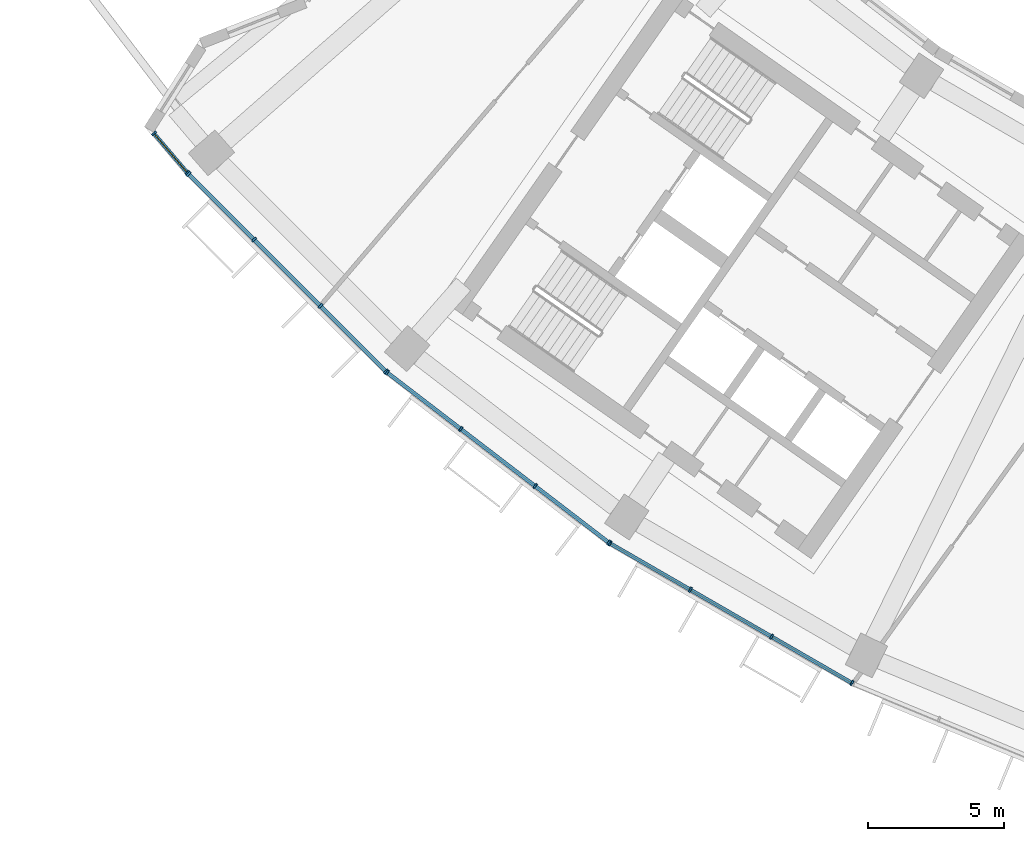
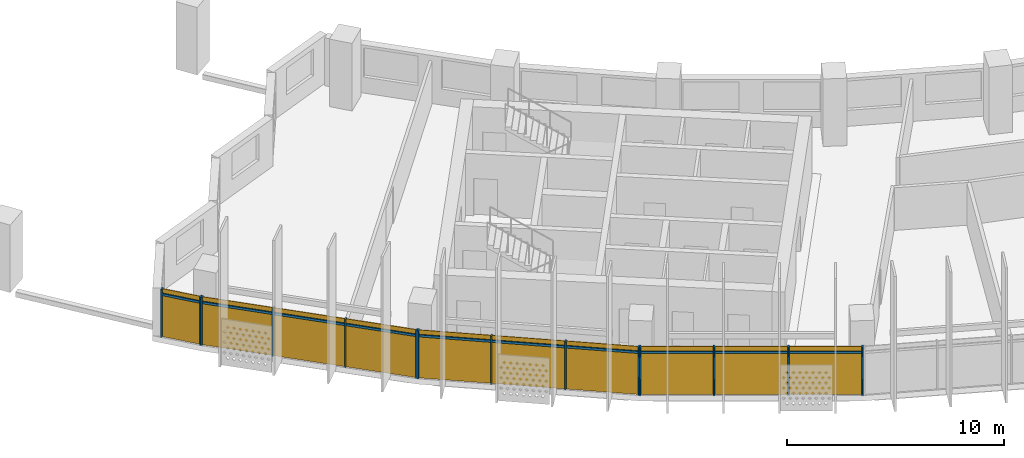
# One storey, part 17 of 27: 24 members, 4 curtain walls.
"""IFC4 building model written with IfcOpenShell, lengths in metres."""

from ifc_helpers import new_model, si_unit, direction, frame, origin, origin_2d, place, context, subcontext, project, spatial, rectangle, extrude, material, material_profile, profile_set, type_object, element, aggregate, save


model = new_model("IFC4")

# Units and contexts
model_context = context("Model", 3, precision=1e-05, world=origin(), true_north=direction((0.0, 1.0)))
body_context = subcontext(model_context, "Body", "Model", "MODEL_VIEW")
ifc_project = project(units=[si_unit("LENGTHUNIT", "METRE"), si_unit("AREAUNIT", "SQUARE_METRE"), si_unit("VOLUMEUNIT", "CUBIC_METRE"), si_unit("PLANEANGLEUNIT", "RADIAN"), si_unit("MASSUNIT", "GRAM", prefix="KILO")], contexts=[model_context])

# Member
ifc_material = material(Name="Aluminium 6063-T6 anodised", Category="aluminium")
ifc_material_profile_1 = material_profile(ifc_material, rectangle(XDim=0.199951171875, YDim=0.070068359375, at=origin_2d()))
ifc_profile_set_1 = profile_set([ifc_material_profile_1], Name="Aluminium 6063-T6 anodised")
member_type_1 = type_object("IfcMemberType", Name="Mullion 70 x 200 aluminium", PredefinedType="MULLION", material=ifc_profile_set_1)
site_placement = place(None, origin())
building_placement = place(site_placement, origin())
storey_placement = place(building_placement, frame((0.0, 0.0, 164.5)))
member_1_placement = place(storey_placement, frame((-60.571044921875, -50.552490234375, 0.0), z_axis=(0.0, 0.0, 1.0), x_axis=(0.761569702594, 0.648083010185, 0.0)))
member_1 = element("IfcMember", 1, at=member_1_placement, type_object=member_type_1, Name="e-cw1-L38-out00/M00", PredefinedType="MULLION", context=body_context, shape_type="SweptSolid", body=[
    extrude(rectangle(XDim=0.199951171875, YDim=0.070068359375, at=origin_2d()), origin(), (0.0, 0.0, 1.0), 2.699951171875),
])

member_2_placement = place(storey_placement, frame((-59.341796875, -51.996826171875, 0.0), z_axis=(0.0, 0.0, 1.0), x_axis=(0.761569702594, 0.648083010185, 0.0)))
member_2 = element("IfcMember", 2, at=member_2_placement, type_object=member_type_1, Name="e-cw1-L38-out00/M01", PredefinedType="MULLION", context=body_context, shape_type="SweptSolid", body=[
    extrude(rectangle(XDim=0.199951171875, YDim=0.070068359375, at=origin_2d()), origin(), (0.0, 0.0, 1.0), 2.699951171875),
])

member_3_placement = place(storey_placement, frame((-59.2998046875, -52.042236328125, 0.0), z_axis=(0.0, 0.0, 1.0), x_axis=(0.707106781187, 0.707106781187, 0.0)))
member_3 = element("IfcMember", 3, at=member_3_placement, type_object=member_type_1, Name="e-cw1-L38-out01/M00", PredefinedType="MULLION", context=body_context, shape_type="SweptSolid", body=[
    extrude(rectangle(XDim=0.199951171875, YDim=0.070068359375, at=origin_2d()), origin(), (0.0, 0.0, 1.0), 2.699951171875),
])

member_4_placement = place(storey_placement, frame((-56.888916015625, -54.453369140625, 0.0), z_axis=(0.0, 0.0, 1.0), x_axis=(0.707106781187, 0.707106781187, 0.0)))
member_4 = element("IfcMember", 4, at=member_4_placement, type_object=member_type_1, Name="e-cw1-L38-out01/M01", PredefinedType="MULLION", context=body_context, shape_type="SweptSolid", body=[
    extrude(rectangle(XDim=0.199951171875, YDim=0.070068359375, at=origin_2d()), origin(), (0.0, 0.0, 1.0), 2.699951171875),
])

member_5_placement = place(storey_placement, frame((-54.453369140625, -56.888916015625, 0.0), z_axis=(0.0, 0.0, 1.0), x_axis=(0.707106781187, 0.707106781187, 0.0)))
member_5 = element("IfcMember", 5, at=member_5_placement, type_object=member_type_1, Name="e-cw1-L38-out01/M02", PredefinedType="MULLION", context=body_context, shape_type="SweptSolid", body=[
    extrude(rectangle(XDim=0.199951171875, YDim=0.070068359375, at=origin_2d()), origin(), (0.0, 0.0, 1.0), 2.699951171875),
])

member_6_placement = place(storey_placement, frame((-52.042236328125, -59.2998046875, 0.0), z_axis=(0.0, 0.0, 1.0), x_axis=(0.707106781187, 0.707106781187, 0.0)))
member_6 = element("IfcMember", 6, at=member_6_placement, type_object=member_type_1, Name="e-cw1-L38-out01/M03", PredefinedType="MULLION", context=body_context, shape_type="SweptSolid", body=[
    extrude(rectangle(XDim=0.199951171875, YDim=0.070068359375, at=origin_2d()), origin(), (0.0, 0.0, 1.0), 2.699951171875),
])

member_7_placement = place(storey_placement, frame((-51.999755859375, -59.33740234375, 0.0), z_axis=(0.0, 0.0, 1.0), x_axis=(0.608761429009, 0.793353340291, 0.0)))
member_7 = element("IfcMember", 7, at=member_7_placement, type_object=member_type_1, Name="e-cw1-L38-out02/M00", PredefinedType="MULLION", context=body_context, shape_type="SweptSolid", body=[
    extrude(rectangle(XDim=0.199951171875, YDim=0.070068359375, at=origin_2d()), origin(), (0.0, 0.0, 1.0), 2.699951171875),
])

member_8_placement = place(storey_placement, frame((-49.294677734375, -61.412841796875, 0.0), z_axis=(0.0, 0.0, 1.0), x_axis=(0.608761429009, 0.793353340291, 0.0)))
member_8 = element("IfcMember", 8, at=member_8_placement, type_object=member_type_1, Name="e-cw1-L38-out02/M01", PredefinedType="MULLION", context=body_context, shape_type="SweptSolid", body=[
    extrude(rectangle(XDim=0.199951171875, YDim=0.070068359375, at=origin_2d()), origin(), (0.0, 0.0, 1.0), 2.699951171875),
])

member_9_placement = place(storey_placement, frame((-46.56201171875, -63.509765625, 0.0), z_axis=(0.0, 0.0, 1.0), x_axis=(0.608761429009, 0.793353340291, 0.0)))
member_9 = element("IfcMember", 9, at=member_9_placement, type_object=member_type_1, Name="e-cw1-L38-out02/M02", PredefinedType="MULLION", context=body_context, shape_type="SweptSolid", body=[
    extrude(rectangle(XDim=0.199951171875, YDim=0.070068359375, at=origin_2d()), origin(), (0.0, 0.0, 1.0), 2.699951171875),
])

member_10_placement = place(storey_placement, frame((-43.85693359375, -65.58544921875, 0.0), z_axis=(0.0, 0.0, 1.0), x_axis=(0.608761429009, 0.793353340291, 0.0)))
member_10 = element("IfcMember", 10, at=member_10_placement, type_object=member_type_1, Name="e-cw1-L38-out02/M03", PredefinedType="MULLION", context=body_context, shape_type="SweptSolid", body=[
    extrude(rectangle(XDim=0.199951171875, YDim=0.070068359375, at=origin_2d()), origin(), (0.0, 0.0, 1.0), 2.699951171875),
])

member_11_placement = place(storey_placement, frame((-43.809814453125, -65.616943359375, 0.0), z_axis=(0.0, 0.0, 1.0), x_axis=(0.5, 0.866025403784, 0.0)))
member_11 = element("IfcMember", 11, at=member_11_placement, type_object=member_type_1, Name="e-cw1-L38-out03/M00", PredefinedType="MULLION", context=body_context, shape_type="SweptSolid", body=[
    extrude(rectangle(XDim=0.199951171875, YDim=0.070068359375, at=origin_2d()), origin(), (0.0, 0.0, 1.0), 2.699951171875),
])

member_12_placement = place(storey_placement, frame((-40.85693359375, -67.32177734375, 0.0), z_axis=(0.0, 0.0, 1.0), x_axis=(0.5, 0.866025403784, 0.0)))
member_12 = element("IfcMember", 12, at=member_12_placement, type_object=member_type_1, Name="e-cw1-L38-out03/M01", PredefinedType="MULLION", context=body_context, shape_type="SweptSolid", body=[
    extrude(rectangle(XDim=0.199951171875, YDim=0.070068359375, at=origin_2d()), origin(), (0.0, 0.0, 1.0), 2.699951171875),
])

member_13_placement = place(storey_placement, frame((-37.873779296875, -69.0439453125, 0.0), z_axis=(0.0, 0.0, 1.0), x_axis=(0.5, 0.866025403784, 0.0)))
member_13 = element("IfcMember", 13, at=member_13_placement, type_object=member_type_1, Name="e-cw1-L38-out03/M02", PredefinedType="MULLION", context=body_context, shape_type="SweptSolid", body=[
    extrude(rectangle(XDim=0.199951171875, YDim=0.070068359375, at=origin_2d()), origin(), (0.0, 0.0, 1.0), 2.699951171875),
])

member_14_placement = place(storey_placement, frame((-34.921142578125, -70.748779296875, 0.0), z_axis=(0.0, 0.0, 1.0), x_axis=(0.5, 0.866025403784, 0.0)))
member_14 = element("IfcMember", 14, at=member_14_placement, type_object=member_type_1, Name="e-cw1-L38-out03/M03", PredefinedType="MULLION", context=body_context, shape_type="SweptSolid", body=[
    extrude(rectangle(XDim=0.199951171875, YDim=0.070068359375, at=origin_2d()), origin(), (0.0, 0.0, 1.0), 2.699951171875),
])

ifc_material_profile_2 = material_profile(ifc_material, rectangle(XDim=0.139892578125, YDim=0.1201171875, at=origin_2d()))
ifc_profile_set_2 = profile_set([ifc_material_profile_2], Name="Aluminium 6063-T6 anodised")
member_type_2 = type_object("IfcMemberType", Name="Transom 120 x 140 aluminium", PredefinedType="USERDEFINED", material=ifc_profile_set_2)
member_15_placement = place(storey_placement, frame((-60.54833984375, -50.5791015625, 2.39990234375), z_axis=(0.648090592877, -0.761563249786, 0.0), x_axis=(0.761563249786, 0.648090592877, 0.0)))
member_15 = element("IfcMember", 15, at=member_15_placement, type_object=member_type_2, Name="e-cw1-L38-out00/T00", ObjectType="TRANSOM", PredefinedType="USERDEFINED", context=body_context, shape_type="SweptSolid", body=[
    extrude(rectangle(XDim=0.139892578125, YDim=0.1201171875, at=origin_2d()), origin(), (0.0, 0.0, 1.0), 1.82666015625),
])

member_16_placement = place(storey_placement, frame((-59.275146484375, -52.067138671875, 2.39990234375), z_axis=(0.707106781187, -0.707106781187, 0.0), x_axis=(0.707106781187, 0.707106781187, 0.0)))
member_16 = element("IfcMember", 16, at=member_16_placement, type_object=member_type_2, Name="e-cw1-L38-out01/T00", ObjectType="TRANSOM", PredefinedType="USERDEFINED", context=body_context, shape_type="SweptSolid", body=[
    extrude(rectangle(XDim=0.139892578125, YDim=0.1201171875, at=origin_2d()), origin(), (0.0, 0.0, 1.0), 3.33935546875),
])

member_17_placement = place(storey_placement, frame((-56.8642578125, -54.47802734375, 2.39990234375), z_axis=(0.707106781187, -0.707106781187, 0.0), x_axis=(0.707106781187, 0.707106781187, 0.0)))
member_17 = element("IfcMember", 17, at=member_17_placement, type_object=member_type_2, Name="e-cw1-L38-out01/T01", ObjectType="TRANSOM", PredefinedType="USERDEFINED", context=body_context, shape_type="SweptSolid", body=[
    extrude(rectangle(XDim=0.139892578125, YDim=0.1201171875, at=origin_2d()), origin(), (0.0, 0.0, 1.0), 3.374755859375),
])

member_18_placement = place(storey_placement, frame((-54.428466796875, -56.913818359375, 2.39990234375), z_axis=(0.707106781187, -0.707106781187, 0.0), x_axis=(0.707106781187, 0.707106781187, 0.0)))
member_18 = element("IfcMember", 18, at=member_18_placement, type_object=member_type_2, Name="e-cw1-L38-out01/T02", ObjectType="TRANSOM", PredefinedType="USERDEFINED", context=body_context, shape_type="SweptSolid", body=[
    extrude(rectangle(XDim=0.139892578125, YDim=0.1201171875, at=origin_2d()), origin(), (0.0, 0.0, 1.0), 3.33935546875),
])

member_19_placement = place(storey_placement, frame((-51.971923828125, -59.358642578125, 2.39990234375), z_axis=(0.793354486861, -0.608759934767, 0.0), x_axis=(0.608759934767, 0.793354486861, 0.0)))
member_19 = element("IfcMember", 19, at=member_19_placement, type_object=member_type_2, Name="e-cw1-L38-out02/T00", ObjectType="TRANSOM", PredefinedType="USERDEFINED", context=body_context, shape_type="SweptSolid", body=[
    extrude(rectangle(XDim=0.139892578125, YDim=0.1201171875, at=origin_2d()), origin(), (0.0, 0.0, 1.0), 3.339599609375),
])

member_20_placement = place(storey_placement, frame((-49.266845703125, -61.434326171875, 2.39990234375), z_axis=(0.793371081522, -0.608738307489, 0.0), x_axis=(0.608738307489, 0.793371081522, 0.0)))
member_20 = element("IfcMember", 20, at=member_20_placement, type_object=member_type_2, Name="e-cw1-L38-out02/T01", ObjectType="TRANSOM", PredefinedType="USERDEFINED", context=body_context, shape_type="SweptSolid", body=[
    extrude(rectangle(XDim=0.139892578125, YDim=0.1201171875, at=origin_2d()), origin(), (0.0, 0.0, 1.0), 3.37451171875),
])

member_21_placement = place(storey_placement, frame((-46.5341796875, -63.53125, 2.39990234375), z_axis=(0.793354486861, -0.608759934767, 0.0), x_axis=(0.608759934767, 0.793354486861, 0.0)))
member_21 = element("IfcMember", 21, at=member_21_placement, type_object=member_type_2, Name="e-cw1-L38-out02/T02", ObjectType="TRANSOM", PredefinedType="USERDEFINED", context=body_context, shape_type="SweptSolid", body=[
    extrude(rectangle(XDim=0.139892578125, YDim=0.1201171875, at=origin_2d()), origin(), (0.0, 0.0, 1.0), 3.339599609375),
])

member_22_placement = place(storey_placement, frame((-43.779541015625, -65.634521484375, 2.39990234375), z_axis=(0.866052898888, -0.49995237406, 0.0), x_axis=(0.49995237406, 0.866052898888, 0.0)))
member_22 = element("IfcMember", 22, at=member_22_placement, type_object=member_type_2, Name="e-cw1-L38-out03/T00", ObjectType="TRANSOM", PredefinedType="USERDEFINED", context=body_context, shape_type="SweptSolid", body=[
    extrude(rectangle(XDim=0.139892578125, YDim=0.1201171875, at=origin_2d()), origin(), (0.0, 0.0, 1.0), 3.339599609375),
])

member_23_placement = place(storey_placement, frame((-40.82666015625, -67.33935546875, 2.39990234375), z_axis=(0.86602172966, -0.500006363716, 0.0), x_axis=(0.500006363716, 0.86602172966, 0.0)))
member_23 = element("IfcMember", 23, at=member_23_placement, type_object=member_type_2, Name="e-cw1-L38-out03/T01", ObjectType="TRANSOM", PredefinedType="USERDEFINED", context=body_context, shape_type="SweptSolid", body=[
    extrude(rectangle(XDim=0.139892578125, YDim=0.1201171875, at=origin_2d()), origin(), (0.0, 0.0, 1.0), 3.37451171875),
])

member_24_placement = place(storey_placement, frame((-37.843505859375, -69.0615234375, 2.39990234375), z_axis=(0.866002968352, -0.500038857296, 0.0), x_axis=(0.500038857296, 0.866002968352, 0.0)))
member_24 = element("IfcMember", 24, at=member_24_placement, type_object=member_type_2, Name="e-cw1-L38-out03/T02", ObjectType="TRANSOM", PredefinedType="USERDEFINED", context=body_context, shape_type="SweptSolid", body=[
    extrude(rectangle(XDim=0.139892578125, YDim=0.1201171875, at=origin_2d()), origin(), (0.0, 0.0, 1.0), 3.339599609375),
])

# Site, building, storey
site = spatial("IfcSite", under=ifc_project, at=site_placement, CompositionType="ELEMENT")
building = spatial("IfcBuilding", under=site, at=building_placement, Name="Qamariyya Broadcast Tower", CompositionType="ELEMENT")
storey = spatial("IfcBuildingStorey", under=building, at=storey_placement, Name="L38", CompositionType="ELEMENT", Elevation=164.5)

# Curtain wall
curtain_wall_type = type_object("IfcCurtainWallType", Name="Unitised curtain wall, anodised aluminium", PredefinedType="NOTDEFINED", material=ifc_material)
curtain_wall_1_placement = place(storey_placement, origin())
curtain_wall_1 = element("IfcCurtainWall", 25, at=curtain_wall_1_placement, inside=storey, type_object=curtain_wall_type, Name="e-cw1-L38-out00", PredefinedType="NOTDEFINED", context=body_context, shape_type="SweptSolid", body=[
    extrude(rectangle(XDim=1.82666015625, YDim=0.031982421875, at=origin_2d()), frame((-59.95654296875, -51.274658203125, 0.0), x_axis=(0.648159988443, -0.761504188683, 0.0)), (0.0, 0.0, 1.0), 2.340087890625),
    extrude(rectangle(XDim=1.82666015625, YDim=0.031982421875, at=origin_2d()), frame((-59.95654296875, -51.274658203125, 2.4599609375), x_axis=(0.648159988443, -0.761504188683, 0.0)), (0.0, 0.0, 1.0), 0.239990234375),
])

aggregate(curtain_wall_1, [member_1, member_2, member_15])

curtain_wall_2_placement = place(storey_placement, origin())
curtain_wall_2 = element("IfcCurtainWall", 26, at=curtain_wall_2_placement, inside=storey, type_object=curtain_wall_type, Name="e-cw1-L38-out01", PredefinedType="NOTDEFINED", context=body_context, shape_type="SweptSolid", body=[
    extrude(rectangle(XDim=3.339599609375, YDim=0.031982421875, at=origin_2d()), frame((-58.094482421875, -53.247802734375, 0.0), x_axis=(0.707106781187, -0.707106781187, 0.0)), (0.0, 0.0, 1.0), 2.340087890625),
    extrude(rectangle(XDim=3.339599609375, YDim=0.031982421875, at=origin_2d()), frame((-58.094482421875, -53.247802734375, 2.4599609375), x_axis=(0.707106781187, -0.707106781187, 0.0)), (0.0, 0.0, 1.0), 0.239990234375),
    extrude(rectangle(XDim=3.37451171875, YDim=0.031982421875, at=origin_2d()), frame((-55.671142578125, -55.671142578125, 0.0), x_axis=(0.707106781187, -0.707106781187, 0.0)), (0.0, 0.0, 1.0), 2.340087890625),
    extrude(rectangle(XDim=3.37451171875, YDim=0.031982421875, at=origin_2d()), frame((-55.671142578125, -55.671142578125, 2.4599609375), x_axis=(0.707106781187, -0.707106781187, 0.0)), (0.0, 0.0, 1.0), 0.239990234375),
    extrude(rectangle(XDim=3.339599609375, YDim=0.031982421875, at=origin_2d()), frame((-53.247802734375, -58.094482421875, 0.0), x_axis=(0.707106781187, -0.707106781187, 0.0)), (0.0, 0.0, 1.0), 2.340087890625),
    extrude(rectangle(XDim=3.339599609375, YDim=0.031982421875, at=origin_2d()), frame((-53.247802734375, -58.094482421875, 2.4599609375), x_axis=(0.707106781187, -0.707106781187, 0.0)), (0.0, 0.0, 1.0), 0.239990234375),
])

aggregate(curtain_wall_2, [member_3, member_4, member_5, member_6, member_16, member_17, member_18])

curtain_wall_3_placement = place(storey_placement, origin())
curtain_wall_3 = element("IfcCurtainWall", 27, at=curtain_wall_3_placement, inside=storey, type_object=curtain_wall_type, Name="e-cw1-L38-out02", PredefinedType="NOTDEFINED", context=body_context, shape_type="SweptSolid", body=[
    extrude(rectangle(XDim=3.339599609375, YDim=0.031982421875, at=origin_2d()), frame((-50.64697265625, -60.375, 0.0), x_axis=(0.793351517557, -0.608763804434, 0.0)), (0.0, 0.0, 1.0), 2.340087890625),
    extrude(rectangle(XDim=3.339599609375, YDim=0.031982421875, at=origin_2d()), frame((-50.64697265625, -60.375, 2.4599609375), x_axis=(0.793351517557, -0.608763804434, 0.0)), (0.0, 0.0, 1.0), 0.239990234375),
    extrude(rectangle(XDim=3.37451171875, YDim=0.031982421875, at=origin_2d()), frame((-47.92822265625, -62.46142578125, 0.0), x_axis=(0.793351517557, -0.608763804434, 0.0)), (0.0, 0.0, 1.0), 2.340087890625),
    extrude(rectangle(XDim=3.37451171875, YDim=0.031982421875, at=origin_2d()), frame((-47.92822265625, -62.46142578125, 2.4599609375), x_axis=(0.793351517557, -0.608763804434, 0.0)), (0.0, 0.0, 1.0), 0.239990234375),
    extrude(rectangle(XDim=3.339599609375, YDim=0.031982421875, at=origin_2d()), frame((-45.20947265625, -64.547607421875, 0.0), x_axis=(0.793351517557, -0.608763804434, 0.0)), (0.0, 0.0, 1.0), 2.340087890625),
    extrude(rectangle(XDim=3.339599609375, YDim=0.031982421875, at=origin_2d()), frame((-45.20947265625, -64.547607421875, 2.4599609375), x_axis=(0.793351517557, -0.608763804434, 0.0)), (0.0, 0.0, 1.0), 0.239990234375),
])

aggregate(curtain_wall_3, [member_7, member_8, member_9, member_10, member_19, member_20, member_21])

curtain_wall_4_placement = place(storey_placement, origin())
curtain_wall_4 = element("IfcCurtainWall", 28, at=curtain_wall_4_placement, inside=storey, type_object=curtain_wall_type, Name="e-cw1-L38-out03", PredefinedType="NOTDEFINED", context=body_context, shape_type="SweptSolid", body=[
    extrude(rectangle(XDim=3.339599609375, YDim=0.031982421875, at=origin_2d()), frame((-42.33349609375, -66.469482421875, 0.0), x_axis=(0.866028999376, -0.499993772201, 0.0)), (0.0, 0.0, 1.0), 2.340087890625),
    extrude(rectangle(XDim=3.339599609375, YDim=0.031982421875, at=origin_2d()), frame((-42.33349609375, -66.469482421875, 2.4599609375), x_axis=(0.866028999376, -0.499993772201, 0.0)), (0.0, 0.0, 1.0), 0.239990234375),
    extrude(rectangle(XDim=3.37451171875, YDim=0.031982421875, at=origin_2d()), frame((-39.365478515625, -68.18310546875, 0.0), x_axis=(0.866028999376, -0.499993772201, 0.0)), (0.0, 0.0, 1.0), 2.340087890625),
    extrude(rectangle(XDim=3.37451171875, YDim=0.031982421875, at=origin_2d()), frame((-39.365478515625, -68.18310546875, 2.4599609375), x_axis=(0.866028999376, -0.499993772201, 0.0)), (0.0, 0.0, 1.0), 0.239990234375),
    extrude(rectangle(XDim=3.339599609375, YDim=0.031982421875, at=origin_2d()), frame((-36.3974609375, -69.896484375, 0.0), x_axis=(0.866028999376, -0.499993772201, 0.0)), (0.0, 0.0, 1.0), 2.340087890625),
    extrude(rectangle(XDim=3.339599609375, YDim=0.031982421875, at=origin_2d()), frame((-36.3974609375, -69.896484375, 2.4599609375), x_axis=(0.866028999376, -0.499993772201, 0.0)), (0.0, 0.0, 1.0), 0.239990234375),
])

aggregate(curtain_wall_4, [member_11, member_12, member_13, member_14, member_22, member_23, member_24])

save(model, "model.ifc")
